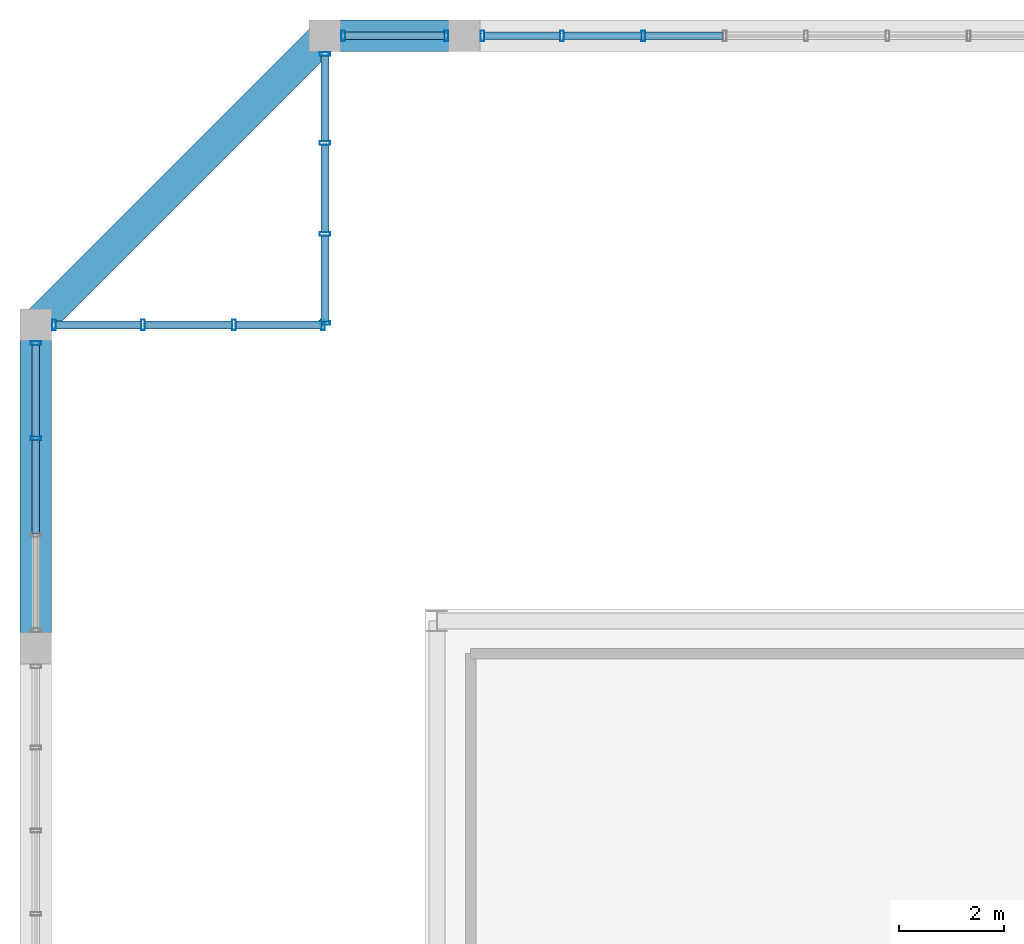
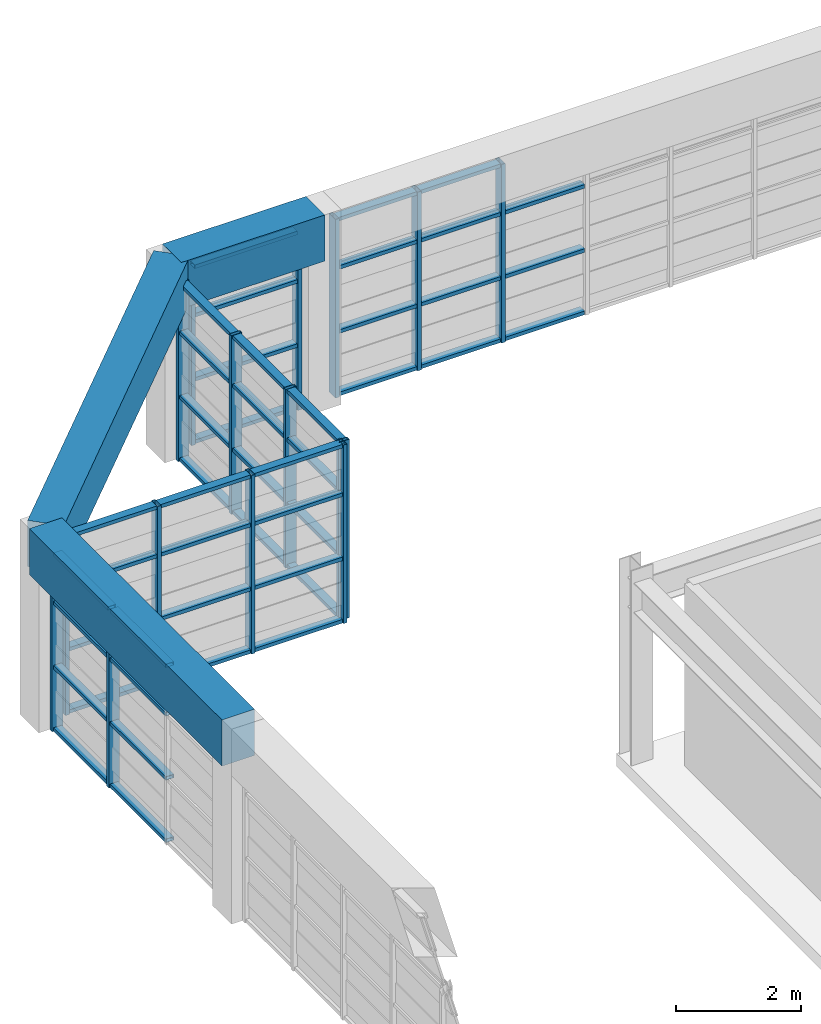
# One storey, part 17 of 27: 62 members, 3 beams, 5 elements without a shape of their own.
"""IFC4 building model written with IfcOpenShell, lengths in metres."""

from ifc_helpers import new_model, si_unit, direction, frame, origin, origin_2d, place, context, subcontext, project, spatial, rectangle, hollow_rectangle, extrude, source, transform, mapped, material, layer, layer_set, material_profile, profile_set, type_object, element, aggregate, save


model = new_model("IFC4")

# Units and contexts
model_context = context("Model", 3, precision=1e-05, world=origin(), true_north=direction((0.0, 1.0)))
body_context = subcontext(model_context, "Body", "Model", "MODEL_VIEW")
ifc_project = project(units=[si_unit("LENGTHUNIT", "METRE"), si_unit("AREAUNIT", "SQUARE_METRE"), si_unit("VOLUMEUNIT", "CUBIC_METRE"), si_unit("PLANEANGLEUNIT", "RADIAN"), si_unit("MASSUNIT", "GRAM", prefix="KILO")], contexts=[model_context])

# Site, building, storey
site_placement = place(None, origin())
site = spatial("IfcSite", under=ifc_project, at=site_placement, CompositionType="ELEMENT")
building_placement = place(site_placement, origin())
building = spatial("IfcBuilding", under=site, at=building_placement, Name="Saelheon Loggia Tower", CompositionType="ELEMENT")
storey_placement = place(building_placement, frame((0.0, 0.0, 263.60009765625)))
storey = spatial("IfcBuildingStorey", under=building, at=storey_placement, Name="CR4", CompositionType="ELEMENT", Elevation=263.60009765625)

# Beams
ifc_material_1 = material(Name="Precast Concrete C45/55", Category="concrete")
ifc_material_profile_1 = material_profile(ifc_material_1, rectangle(XDim=0.60009765625, YDim=0.89990234375, at=origin_2d()), Name="RC-600x900")
ifc_profile_set_1 = profile_set([ifc_material_profile_1], Name="Precast Concrete C45/55")
beam_type = type_object("IfcBeamType", Name="CrownFrame_Ring_RC600x900", PredefinedType="BEAM", material=ifc_profile_set_1)
shared_shape_1 = source(origin(), body_context, "Body", "SweptSolid", [
    extrude(rectangle(XDim=0.60009765625, YDim=0.89990234375, at=origin_2d()), origin(), (0.0, 0.0, 1.0), 2.64990234375),
])
beam_1_placement = place(storey_placement, frame((31.5, 47.64990234375, 3.349853515625), z_axis=(-1.0, 0.0, 0.0), x_axis=(0.0, -1.0, 0.0)))
element("IfcBeam", 1, at=beam_1_placement, inside=storey, type_object=beam_type, Name="CR4 CROWN FRAME Ring Beam 11", PredefinedType="BEAM", context=body_context, shape_type="MappedRepresentation", body=[
    mapped(shared_shape_1, transform((0.0, 0.0, 0.0), scale=1.0)),
])
shared_shape_2 = source(origin(), body_context, "Body", "SweptSolid", [
    extrude(rectangle(XDim=0.60009765625, YDim=0.89990234375, at=origin_2d()), origin(), (0.0, 0.0, 1.0), 7.778076171875),
])
beam_2_placement = place(storey_placement, frame((28.85009765625, 47.64990234375, 3.349853515625), z_axis=(-0.707106781187, -0.707106781187, 0.0), x_axis=(0.707106781187, -0.707106781187, 0.0)))
element("IfcBeam", 2, at=beam_2_placement, inside=storey, type_object=beam_type, Name="CR4 CROWN FRAME Ring Beam 12", PredefinedType="BEAM", context=body_context, shape_type="MappedRepresentation", body=[
    mapped(shared_shape_2, transform((0.0, 0.0, 0.0), scale=1.0)),
])
shared_shape_3 = source(origin(), body_context, "Body", "SweptSolid", [
    extrude(rectangle(XDim=0.60009765625, YDim=0.89990234375, at=origin_2d()), origin(), (0.0, 0.0, 1.0), 6.14990234375),
])
beam_3_placement = place(storey_placement, frame((23.35009765625, 42.14990234375, 3.349853515625), z_axis=(0.0, -1.0, 0.0), x_axis=(1.0, 0.0, 0.0)))
element("IfcBeam", 3, at=beam_3_placement, inside=storey, type_object=beam_type, Name="CR4 CROWN FRAME Ring Beam 13", PredefinedType="BEAM", context=body_context, shape_type="MappedRepresentation", body=[
    mapped(shared_shape_3, transform((0.0, 0.0, 0.0), scale=1.0)),
])

# Curtain wall, members
ifc_material_2 = material(Name="Bronze-Anodised Aluminium and Fritted Ceramic Screen", Category="aluminium")
ifc_layer = layer(ifc_material_2, 0.219970703125)
ifc_layer_set = layer_set([ifc_layer], Name="Bronze-Anodised Aluminium and Fritted Ceramic Screen")
curtain_wall_type = type_object("IfcCurtainWallType", Name="CW_CrownScreen", PredefinedType="NOTDEFINED", material=ifc_layer_set)
curtain_wall_1_placement = place(storey_placement, origin())
curtain_wall_1 = element("IfcCurtainWall", 4, at=curtain_wall_1_placement, inside=storey, type_object=curtain_wall_type, Name="CR4 Crown Screen Curtain Wall 6-2", PredefinedType="NOTDEFINED")
ifc_material_3 = material(Name="Bronze-Anodised Aluminium 6063-T6", Category="aluminium")
ifc_material_profile_2 = material_profile(ifc_material_3, hollow_rectangle(XDim=0.070068359375, YDim=0.199951171875, WallThickness=0.0048828125, at=origin_2d()), Name="RHS-200x70x5")
ifc_profile_set_2 = profile_set([ifc_material_profile_2], Name="Bronze-Anodised Aluminium 6063-T6")
member_type_1 = type_object("IfcMemberType", Name="CW_CrownScreen_Mullion", PredefinedType="MULLION", material=ifc_profile_set_2)
shared_shape_4 = source(origin(), body_context, "Body", "SweptSolid", [
    extrude(hollow_rectangle(XDim=0.070068359375, YDim=0.199951171875, WallThickness=0.0048828125, at=origin_2d()), origin(), (0.0, 0.0, 1.0), 3.47998046875),
])
member_1_placement = place(storey_placement, frame((34.905029296875, 47.64990234375, 0.0), z_axis=(0.0, 0.0, 1.0), x_axis=(-1.0, 0.0, 0.0)))
member_1 = element("IfcMember", 5, at=member_1_placement, type_object=member_type_1, Name="CW6 mullion 7", PredefinedType="MULLION", context=body_context, shape_type="MappedRepresentation", body=[
    mapped(shared_shape_4, transform((0.0, 0.0, 0.0), scale=1.0)),
])
member_2_placement = place(storey_placement, frame((33.357421875, 47.64990234375, 0.0), z_axis=(0.0, 0.0, 1.0), x_axis=(-1.0, 0.0, 0.0)))
member_2 = element("IfcMember", 6, at=member_2_placement, type_object=member_type_1, Name="CW6 mullion 8", PredefinedType="MULLION", context=body_context, shape_type="MappedRepresentation", body=[
    mapped(shared_shape_4, transform((0.0, 0.0, 0.0), scale=1.0)),
])
member_3_placement = place(storey_placement, frame((31.844970703125, 47.64990234375, 0.0), z_axis=(0.0, 0.0, 1.0), x_axis=(-1.0, 0.0, 0.0)))
member_3 = element("IfcMember", 7, at=member_3_placement, type_object=member_type_1, Name="CW6 mullion 9", PredefinedType="MULLION", context=body_context, shape_type="MappedRepresentation", body=[
    mapped(shared_shape_4, transform((0.0, 0.0, 0.0), scale=1.0)),
])

curtain_wall_2_placement = place(storey_placement, origin())
curtain_wall_2 = element("IfcCurtainWall", 8, at=curtain_wall_2_placement, inside=storey, type_object=curtain_wall_type, Name="CR4 Crown Screen Curtain Wall 6-3", PredefinedType="NOTDEFINED")
member_4_placement = place(storey_placement, frame((31.155029296875, 47.64990234375, 0.0), z_axis=(0.0, 0.0, 1.0), x_axis=(-1.0, 0.0, 0.0)))
member_4 = element("IfcMember", 9, at=member_4_placement, type_object=member_type_1, Name="CW6 mullion 1", PredefinedType="MULLION", context=body_context, shape_type="MappedRepresentation", body=[
    mapped(shared_shape_4, transform((0.0, 0.0, 0.0), scale=1.0)),
])
member_5_placement = place(storey_placement, frame((29.195068359375, 47.64990234375, 0.0), z_axis=(0.0, 0.0, 1.0), x_axis=(-1.0, 0.0, 0.0)))
member_5 = element("IfcMember", 10, at=member_5_placement, type_object=member_type_1, Name="CW6 mullion 2", PredefinedType="MULLION", context=body_context, shape_type="MappedRepresentation", body=[
    mapped(shared_shape_4, transform((0.0, 0.0, 0.0), scale=1.0)),
])

curtain_wall_3_placement = place(storey_placement, origin())
curtain_wall_3 = element("IfcCurtainWall", 11, at=curtain_wall_3_placement, inside=storey, type_object=curtain_wall_type, Name="CR4 Crown Screen Curtain Wall 7-1", PredefinedType="NOTDEFINED")
member_6_placement = place(storey_placement, frame((28.85009765625, 47.304931640625, 0.0), z_axis=(0.0, 0.0, 1.0), x_axis=(0.0, -1.0, 0.0)))
member_6 = element("IfcMember", 12, at=member_6_placement, type_object=member_type_1, Name="CW6 mullion 1", PredefinedType="MULLION", context=body_context, shape_type="MappedRepresentation", body=[
    mapped(shared_shape_4, transform((0.0, 0.0, 0.0), scale=1.0)),
])
member_7_placement = place(storey_placement, frame((28.85009765625, 45.610107421875, 0.0), z_axis=(0.0, 0.0, 1.0), x_axis=(0.0, -1.0, 0.0)))
member_7 = element("IfcMember", 13, at=member_7_placement, type_object=member_type_1, Name="CW6 mullion 2", PredefinedType="MULLION", context=body_context, shape_type="MappedRepresentation", body=[
    mapped(shared_shape_4, transform((0.0, 0.0, 0.0), scale=1.0)),
])
member_8_placement = place(storey_placement, frame((28.85009765625, 43.8798828125, 0.0), z_axis=(0.0, 0.0, 1.0), x_axis=(0.0, -1.0, 0.0)))
member_8 = element("IfcMember", 14, at=member_8_placement, type_object=member_type_1, Name="CW6 mullion 3", PredefinedType="MULLION", context=body_context, shape_type="MappedRepresentation", body=[
    mapped(shared_shape_4, transform((0.0, 0.0, 0.0), scale=1.0)),
])
member_9_placement = place(storey_placement, frame((28.85009765625, 42.18505859375, 0.0), z_axis=(0.0, 0.0, 1.0), x_axis=(0.0, -1.0, 0.0)))
member_9 = element("IfcMember", 15, at=member_9_placement, type_object=member_type_1, Name="CW6 mullion 4", PredefinedType="MULLION", context=body_context, shape_type="MappedRepresentation", body=[
    mapped(shared_shape_4, transform((0.0, 0.0, 0.0), scale=1.0)),
])

curtain_wall_4_placement = place(storey_placement, origin())
curtain_wall_4 = element("IfcCurtainWall", 16, at=curtain_wall_4_placement, inside=storey, type_object=curtain_wall_type, Name="CR4 Crown Screen Curtain Wall 8-1", PredefinedType="NOTDEFINED")
member_10_placement = place(storey_placement, frame((28.81494140625, 42.14990234375, 0.0), z_axis=(0.0, 0.0, 1.0), x_axis=(-1.0, 0.0, 0.0)))
member_10 = element("IfcMember", 17, at=member_10_placement, type_object=member_type_1, Name="CW6 mullion 1", PredefinedType="MULLION", context=body_context, shape_type="MappedRepresentation", body=[
    mapped(shared_shape_4, transform((0.0, 0.0, 0.0), scale=1.0)),
])
member_11_placement = place(storey_placement, frame((27.1201171875, 42.14990234375, 0.0), z_axis=(0.0, 0.0, 1.0), x_axis=(-1.0, 0.0, 0.0)))
member_11 = element("IfcMember", 18, at=member_11_placement, type_object=member_type_1, Name="CW6 mullion 2", PredefinedType="MULLION", context=body_context, shape_type="MappedRepresentation", body=[
    mapped(shared_shape_4, transform((0.0, 0.0, 0.0), scale=1.0)),
])
member_12_placement = place(storey_placement, frame((25.389892578125, 42.14990234375, 0.0), z_axis=(0.0, 0.0, 1.0), x_axis=(-1.0, 0.0, 0.0)))
member_12 = element("IfcMember", 19, at=member_12_placement, type_object=member_type_1, Name="CW6 mullion 3", PredefinedType="MULLION", context=body_context, shape_type="MappedRepresentation", body=[
    mapped(shared_shape_4, transform((0.0, 0.0, 0.0), scale=1.0)),
])
member_13_placement = place(storey_placement, frame((23.695068359375, 42.14990234375, 0.0), z_axis=(0.0, 0.0, 1.0), x_axis=(-1.0, 0.0, 0.0)))
member_13 = element("IfcMember", 20, at=member_13_placement, type_object=member_type_1, Name="CW6 mullion 4", PredefinedType="MULLION", context=body_context, shape_type="MappedRepresentation", body=[
    mapped(shared_shape_4, transform((0.0, 0.0, 0.0), scale=1.0)),
])

curtain_wall_5_placement = place(storey_placement, origin())
curtain_wall_5 = element("IfcCurtainWall", 21, at=curtain_wall_5_placement, inside=storey, type_object=curtain_wall_type, Name="CR4 Crown Screen Curtain Wall 9-1", PredefinedType="NOTDEFINED")
member_14_placement = place(storey_placement, frame((23.35009765625, 41.804931640625, 0.0), z_axis=(0.0, 0.0, 1.0), x_axis=(0.0, -1.0, 0.0)))
member_14 = element("IfcMember", 22, at=member_14_placement, type_object=member_type_1, Name="CW6 mullion 1", PredefinedType="MULLION", context=body_context, shape_type="MappedRepresentation", body=[
    mapped(shared_shape_4, transform((0.0, 0.0, 0.0), scale=1.0)),
])
member_15_placement = place(storey_placement, frame((23.35009765625, 39.99658203125, 0.0), z_axis=(0.0, 0.0, 1.0), x_axis=(0.0, -1.0, 0.0)))
member_15 = element("IfcMember", 23, at=member_15_placement, type_object=member_type_1, Name="CW6 mullion 2", PredefinedType="MULLION", context=body_context, shape_type="MappedRepresentation", body=[
    mapped(shared_shape_4, transform((0.0, 0.0, 0.0), scale=1.0)),
])

# Member
ifc_material_profile_3 = material_profile(ifc_material_3, hollow_rectangle(XDim=0.070068359375, YDim=0.14990234375, WallThickness=0.0048828125, at=origin_2d()), Name="RHS-150x70x5")
ifc_profile_set_3 = profile_set([ifc_material_profile_3], Name="Bronze-Anodised Aluminium 6063-T6")
member_type_2 = type_object("IfcMemberType", Name="CW_CrownScreen_Transom", PredefinedType="USERDEFINED", material=ifc_profile_set_3)
shared_shape_5 = source(origin(), body_context, "Body", "SweptSolid", [
    extrude(hollow_rectangle(XDim=0.070068359375, YDim=0.14990234375, WallThickness=0.0048828125, at=origin_2d()), origin(), (0.0, 0.0, 1.0), 1.89013671875),
])
member_16_placement = place(storey_placement, frame((31.1201171875, 47.64990234375, 0.034912109375), z_axis=(-1.0, 0.0, 0.0), x_axis=(0.0, 0.0, 1.0)))
member_16 = element("IfcMember", 24, at=member_16_placement, type_object=member_type_2, Name="CW6 transom 1.1", ObjectType="TRANSOM", PredefinedType="USERDEFINED", context=body_context, shape_type="MappedRepresentation", body=[
    mapped(shared_shape_5, transform((0.0, 0.0, 0.0), scale=1.0)),
])

member_17_placement = place(storey_placement, frame((31.1201171875, 47.64990234375, 1.25), z_axis=(-1.0, 0.0, 0.0), x_axis=(0.0, 0.0, 1.0)))
member_17 = element("IfcMember", 25, at=member_17_placement, type_object=member_type_2, Name="CW6 transom 1.2", ObjectType="TRANSOM", PredefinedType="USERDEFINED", context=body_context, shape_type="MappedRepresentation", body=[
    mapped(shared_shape_5, transform((0.0, 0.0, 0.0), scale=1.0)),
])

member_18_placement = place(storey_placement, frame((31.1201171875, 47.64990234375, 2.5), z_axis=(-1.0, 0.0, 0.0), x_axis=(0.0, 0.0, 1.0)))
member_18 = element("IfcMember", 26, at=member_18_placement, type_object=member_type_2, Name="CW6 transom 1.3", ObjectType="TRANSOM", PredefinedType="USERDEFINED", context=body_context, shape_type="MappedRepresentation", body=[
    mapped(shared_shape_5, transform((0.0, 0.0, 0.0), scale=1.0)),
])

member_19_placement = place(storey_placement, frame((31.1201171875, 47.64990234375, 3.44482421875), z_axis=(-1.0, 0.0, 0.0), x_axis=(0.0, 0.0, 1.0)))
member_19 = element("IfcMember", 27, at=member_19_placement, type_object=member_type_2, Name="CW6 transom 1.4", ObjectType="TRANSOM", PredefinedType="USERDEFINED", context=body_context, shape_type="MappedRepresentation", body=[
    mapped(shared_shape_5, transform((0.0, 0.0, 0.0), scale=1.0)),
])

aggregate(curtain_wall_2, [member_4, member_5, member_16, member_17, member_18, member_19])

shared_shape_6 = source(origin(), body_context, "Body", "SweptSolid", [
    extrude(hollow_rectangle(XDim=0.070068359375, YDim=0.14990234375, WallThickness=0.0048828125, at=origin_2d()), origin(), (0.0, 0.0, 1.0), 1.442626953125),
])
member_20_placement = place(storey_placement, frame((33.322509765625, 47.64990234375, 0.034912109375), z_axis=(-1.0, 0.0, 0.0), x_axis=(0.0, 0.0, 1.0)))
member_20 = element("IfcMember", 28, at=member_20_placement, type_object=member_type_2, Name="CW6 transom 8.1", ObjectType="TRANSOM", PredefinedType="USERDEFINED", context=body_context, shape_type="MappedRepresentation", body=[
    mapped(shared_shape_6, transform((0.0, 0.0, 0.0), scale=1.0)),
])

member_21_placement = place(storey_placement, frame((33.322509765625, 47.64990234375, 1.25), z_axis=(-1.0, 0.0, 0.0), x_axis=(0.0, 0.0, 1.0)))
member_21 = element("IfcMember", 29, at=member_21_placement, type_object=member_type_2, Name="CW6 transom 8.2", ObjectType="TRANSOM", PredefinedType="USERDEFINED", context=body_context, shape_type="MappedRepresentation", body=[
    mapped(shared_shape_6, transform((0.0, 0.0, 0.0), scale=1.0)),
])

member_22_placement = place(storey_placement, frame((33.322509765625, 47.64990234375, 2.5), z_axis=(-1.0, 0.0, 0.0), x_axis=(0.0, 0.0, 1.0)))
member_22 = element("IfcMember", 30, at=member_22_placement, type_object=member_type_2, Name="CW6 transom 8.3", ObjectType="TRANSOM", PredefinedType="USERDEFINED", context=body_context, shape_type="MappedRepresentation", body=[
    mapped(shared_shape_6, transform((0.0, 0.0, 0.0), scale=1.0)),
])

member_23_placement = place(storey_placement, frame((33.322509765625, 47.64990234375, 3.44482421875), z_axis=(-1.0, 0.0, 0.0), x_axis=(0.0, 0.0, 1.0)))
member_23 = element("IfcMember", 31, at=member_23_placement, type_object=member_type_2, Name="CW6 transom 8.4", ObjectType="TRANSOM", PredefinedType="USERDEFINED", context=body_context, shape_type="MappedRepresentation", body=[
    mapped(shared_shape_6, transform((0.0, 0.0, 0.0), scale=1.0)),
])

shared_shape_7 = source(origin(), body_context, "Body", "SweptSolid", [
    extrude(hollow_rectangle(XDim=0.070068359375, YDim=0.14990234375, WallThickness=0.0048828125, at=origin_2d()), origin(), (0.0, 0.0, 1.0), 1.4775390625),
])
member_24_placement = place(storey_placement, frame((36.41748046875, 47.64990234375, 0.034912109375), z_axis=(-1.0, 0.0, 0.0), x_axis=(0.0, 0.0, 1.0)))
member_24 = element("IfcMember", 32, at=member_24_placement, type_object=member_type_2, Name="CW6 transom 6.1", ObjectType="TRANSOM", PredefinedType="USERDEFINED", context=body_context, shape_type="MappedRepresentation", body=[
    mapped(shared_shape_7, transform((0.0, 0.0, 0.0), scale=1.0)),
])

member_25_placement = place(storey_placement, frame((36.41748046875, 47.64990234375, 1.25), z_axis=(-1.0, 0.0, 0.0), x_axis=(0.0, 0.0, 1.0)))
member_25 = element("IfcMember", 33, at=member_25_placement, type_object=member_type_2, Name="CW6 transom 6.2", ObjectType="TRANSOM", PredefinedType="USERDEFINED", context=body_context, shape_type="MappedRepresentation", body=[
    mapped(shared_shape_7, transform((0.0, 0.0, 0.0), scale=1.0)),
])

member_26_placement = place(storey_placement, frame((36.41748046875, 47.64990234375, 2.5), z_axis=(-1.0, 0.0, 0.0), x_axis=(0.0, 0.0, 1.0)))
member_26 = element("IfcMember", 34, at=member_26_placement, type_object=member_type_2, Name="CW6 transom 6.3", ObjectType="TRANSOM", PredefinedType="USERDEFINED", context=body_context, shape_type="MappedRepresentation", body=[
    mapped(shared_shape_7, transform((0.0, 0.0, 0.0), scale=1.0)),
])

member_27_placement = place(storey_placement, frame((34.8701171875, 47.64990234375, 0.034912109375), z_axis=(-1.0, 0.0, 0.0), x_axis=(0.0, 0.0, 1.0)))
member_27 = element("IfcMember", 35, at=member_27_placement, type_object=member_type_2, Name="CW6 transom 7.1", ObjectType="TRANSOM", PredefinedType="USERDEFINED", context=body_context, shape_type="MappedRepresentation", body=[
    mapped(shared_shape_7, transform((0.0, 0.0, 0.0), scale=1.0)),
])

member_28_placement = place(storey_placement, frame((34.8701171875, 47.64990234375, 1.25), z_axis=(-1.0, 0.0, 0.0), x_axis=(0.0, 0.0, 1.0)))
member_28 = element("IfcMember", 36, at=member_28_placement, type_object=member_type_2, Name="CW6 transom 7.2", ObjectType="TRANSOM", PredefinedType="USERDEFINED", context=body_context, shape_type="MappedRepresentation", body=[
    mapped(shared_shape_7, transform((0.0, 0.0, 0.0), scale=1.0)),
])

member_29_placement = place(storey_placement, frame((34.8701171875, 47.64990234375, 2.5), z_axis=(-1.0, 0.0, 0.0), x_axis=(0.0, 0.0, 1.0)))
member_29 = element("IfcMember", 37, at=member_29_placement, type_object=member_type_2, Name="CW6 transom 7.3", ObjectType="TRANSOM", PredefinedType="USERDEFINED", context=body_context, shape_type="MappedRepresentation", body=[
    mapped(shared_shape_7, transform((0.0, 0.0, 0.0), scale=1.0)),
])

member_30_placement = place(storey_placement, frame((34.8701171875, 47.64990234375, 3.44482421875), z_axis=(-1.0, 0.0, 0.0), x_axis=(0.0, 0.0, 1.0)))
member_30 = element("IfcMember", 38, at=member_30_placement, type_object=member_type_2, Name="CW6 transom 7.4", ObjectType="TRANSOM", PredefinedType="USERDEFINED", context=body_context, shape_type="MappedRepresentation", body=[
    mapped(shared_shape_7, transform((0.0, 0.0, 0.0), scale=1.0)),
])

aggregate(curtain_wall_1, [member_1, member_2, member_3, member_24, member_25, member_26, member_27, member_28, member_29, member_30, member_20, member_21, member_22, member_23])

shared_shape_8 = source(origin(), body_context, "Body", "SweptSolid", [
    extrude(hollow_rectangle(XDim=0.070068359375, YDim=0.14990234375, WallThickness=0.0048828125, at=origin_2d()), origin(), (0.0, 0.0, 1.0), 1.625),
])
member_31_placement = place(storey_placement, frame((28.85009765625, 47.27001953125, 0.034912109375), z_axis=(0.0, -1.0, 0.0), x_axis=(0.0, 0.0, 1.0)))
member_31 = element("IfcMember", 39, at=member_31_placement, type_object=member_type_2, Name="CW6 transom 1.1", ObjectType="TRANSOM", PredefinedType="USERDEFINED", context=body_context, shape_type="MappedRepresentation", body=[
    mapped(shared_shape_8, transform((0.0, 0.0, 0.0), scale=1.0)),
])

member_32_placement = place(storey_placement, frame((28.85009765625, 47.27001953125, 1.25), z_axis=(0.0, -1.0, 0.0), x_axis=(0.0, 0.0, 1.0)))
member_32 = element("IfcMember", 40, at=member_32_placement, type_object=member_type_2, Name="CW6 transom 1.2", ObjectType="TRANSOM", PredefinedType="USERDEFINED", context=body_context, shape_type="MappedRepresentation", body=[
    mapped(shared_shape_8, transform((0.0, 0.0, 0.0), scale=1.0)),
])

member_33_placement = place(storey_placement, frame((28.85009765625, 47.27001953125, 2.5), z_axis=(0.0, -1.0, 0.0), x_axis=(0.0, 0.0, 1.0)))
member_33 = element("IfcMember", 41, at=member_33_placement, type_object=member_type_2, Name="CW6 transom 1.3", ObjectType="TRANSOM", PredefinedType="USERDEFINED", context=body_context, shape_type="MappedRepresentation", body=[
    mapped(shared_shape_8, transform((0.0, 0.0, 0.0), scale=1.0)),
])

member_34_placement = place(storey_placement, frame((28.85009765625, 47.27001953125, 3.44482421875), z_axis=(0.0, -1.0, 0.0), x_axis=(0.0, 0.0, 1.0)))
member_34 = element("IfcMember", 42, at=member_34_placement, type_object=member_type_2, Name="CW6 transom 1.4", ObjectType="TRANSOM", PredefinedType="USERDEFINED", context=body_context, shape_type="MappedRepresentation", body=[
    mapped(shared_shape_8, transform((0.0, 0.0, 0.0), scale=1.0)),
])

member_35_placement = place(storey_placement, frame((28.85009765625, 43.844970703125, 0.034912109375), z_axis=(0.0, -1.0, 0.0), x_axis=(0.0, 0.0, 1.0)))
member_35 = element("IfcMember", 43, at=member_35_placement, type_object=member_type_2, Name="CW6 transom 3.1", ObjectType="TRANSOM", PredefinedType="USERDEFINED", context=body_context, shape_type="MappedRepresentation", body=[
    mapped(shared_shape_8, transform((0.0, 0.0, 0.0), scale=1.0)),
])

member_36_placement = place(storey_placement, frame((28.85009765625, 43.844970703125, 1.25), z_axis=(0.0, -1.0, 0.0), x_axis=(0.0, 0.0, 1.0)))
member_36 = element("IfcMember", 44, at=member_36_placement, type_object=member_type_2, Name="CW6 transom 3.2", ObjectType="TRANSOM", PredefinedType="USERDEFINED", context=body_context, shape_type="MappedRepresentation", body=[
    mapped(shared_shape_8, transform((0.0, 0.0, 0.0), scale=1.0)),
])

member_37_placement = place(storey_placement, frame((28.85009765625, 43.844970703125, 2.5), z_axis=(0.0, -1.0, 0.0), x_axis=(0.0, 0.0, 1.0)))
member_37 = element("IfcMember", 45, at=member_37_placement, type_object=member_type_2, Name="CW6 transom 3.3", ObjectType="TRANSOM", PredefinedType="USERDEFINED", context=body_context, shape_type="MappedRepresentation", body=[
    mapped(shared_shape_8, transform((0.0, 0.0, 0.0), scale=1.0)),
])

member_38_placement = place(storey_placement, frame((28.85009765625, 43.844970703125, 3.44482421875), z_axis=(0.0, -1.0, 0.0), x_axis=(0.0, 0.0, 1.0)))
member_38 = element("IfcMember", 46, at=member_38_placement, type_object=member_type_2, Name="CW6 transom 3.4", ObjectType="TRANSOM", PredefinedType="USERDEFINED", context=body_context, shape_type="MappedRepresentation", body=[
    mapped(shared_shape_8, transform((0.0, 0.0, 0.0), scale=1.0)),
])

member_39_placement = place(storey_placement, frame((28.780029296875, 42.14990234375, 0.034912109375), z_axis=(-1.0, 0.0, 0.0), x_axis=(0.0, 0.0, 1.0)))
member_39 = element("IfcMember", 47, at=member_39_placement, type_object=member_type_2, Name="CW6 transom 1.1", ObjectType="TRANSOM", PredefinedType="USERDEFINED", context=body_context, shape_type="MappedRepresentation", body=[
    mapped(shared_shape_8, transform((0.0, 0.0, 0.0), scale=1.0)),
])

member_40_placement = place(storey_placement, frame((28.780029296875, 42.14990234375, 1.25), z_axis=(-1.0, 0.0, 0.0), x_axis=(0.0, 0.0, 1.0)))
member_40 = element("IfcMember", 48, at=member_40_placement, type_object=member_type_2, Name="CW6 transom 1.2", ObjectType="TRANSOM", PredefinedType="USERDEFINED", context=body_context, shape_type="MappedRepresentation", body=[
    mapped(shared_shape_8, transform((0.0, 0.0, 0.0), scale=1.0)),
])

member_41_placement = place(storey_placement, frame((28.780029296875, 42.14990234375, 2.5), z_axis=(-1.0, 0.0, 0.0), x_axis=(0.0, 0.0, 1.0)))
member_41 = element("IfcMember", 49, at=member_41_placement, type_object=member_type_2, Name="CW6 transom 1.3", ObjectType="TRANSOM", PredefinedType="USERDEFINED", context=body_context, shape_type="MappedRepresentation", body=[
    mapped(shared_shape_8, transform((0.0, 0.0, 0.0), scale=1.0)),
])

member_42_placement = place(storey_placement, frame((28.780029296875, 42.14990234375, 3.44482421875), z_axis=(-1.0, 0.0, 0.0), x_axis=(0.0, 0.0, 1.0)))
member_42 = element("IfcMember", 50, at=member_42_placement, type_object=member_type_2, Name="CW6 transom 1.4", ObjectType="TRANSOM", PredefinedType="USERDEFINED", context=body_context, shape_type="MappedRepresentation", body=[
    mapped(shared_shape_8, transform((0.0, 0.0, 0.0), scale=1.0)),
])

member_43_placement = place(storey_placement, frame((25.35498046875, 42.14990234375, 0.034912109375), z_axis=(-1.0, 0.0, 0.0), x_axis=(0.0, 0.0, 1.0)))
member_43 = element("IfcMember", 51, at=member_43_placement, type_object=member_type_2, Name="CW6 transom 3.1", ObjectType="TRANSOM", PredefinedType="USERDEFINED", context=body_context, shape_type="MappedRepresentation", body=[
    mapped(shared_shape_8, transform((0.0, 0.0, 0.0), scale=1.0)),
])

member_44_placement = place(storey_placement, frame((25.35498046875, 42.14990234375, 1.25), z_axis=(-1.0, 0.0, 0.0), x_axis=(0.0, 0.0, 1.0)))
member_44 = element("IfcMember", 52, at=member_44_placement, type_object=member_type_2, Name="CW6 transom 3.2", ObjectType="TRANSOM", PredefinedType="USERDEFINED", context=body_context, shape_type="MappedRepresentation", body=[
    mapped(shared_shape_8, transform((0.0, 0.0, 0.0), scale=1.0)),
])

member_45_placement = place(storey_placement, frame((25.35498046875, 42.14990234375, 2.5), z_axis=(-1.0, 0.0, 0.0), x_axis=(0.0, 0.0, 1.0)))
member_45 = element("IfcMember", 53, at=member_45_placement, type_object=member_type_2, Name="CW6 transom 3.3", ObjectType="TRANSOM", PredefinedType="USERDEFINED", context=body_context, shape_type="MappedRepresentation", body=[
    mapped(shared_shape_8, transform((0.0, 0.0, 0.0), scale=1.0)),
])

member_46_placement = place(storey_placement, frame((25.35498046875, 42.14990234375, 3.44482421875), z_axis=(-1.0, 0.0, 0.0), x_axis=(0.0, 0.0, 1.0)))
member_46 = element("IfcMember", 54, at=member_46_placement, type_object=member_type_2, Name="CW6 transom 3.4", ObjectType="TRANSOM", PredefinedType="USERDEFINED", context=body_context, shape_type="MappedRepresentation", body=[
    mapped(shared_shape_8, transform((0.0, 0.0, 0.0), scale=1.0)),
])

shared_shape_9 = source(origin(), body_context, "Body", "SweptSolid", [
    extrude(hollow_rectangle(XDim=0.070068359375, YDim=0.14990234375, WallThickness=0.0048828125, at=origin_2d()), origin(), (0.0, 0.0, 1.0), 1.659912109375),
])
member_47_placement = place(storey_placement, frame((28.85009765625, 45.574951171875, 0.034912109375), z_axis=(0.0, -1.0, 0.0), x_axis=(0.0, 0.0, 1.0)))
member_47 = element("IfcMember", 55, at=member_47_placement, type_object=member_type_2, Name="CW6 transom 2.1", ObjectType="TRANSOM", PredefinedType="USERDEFINED", context=body_context, shape_type="MappedRepresentation", body=[
    mapped(shared_shape_9, transform((0.0, 0.0, 0.0), scale=1.0)),
])

member_48_placement = place(storey_placement, frame((28.85009765625, 45.574951171875, 1.25), z_axis=(0.0, -1.0, 0.0), x_axis=(0.0, 0.0, 1.0)))
member_48 = element("IfcMember", 56, at=member_48_placement, type_object=member_type_2, Name="CW6 transom 2.2", ObjectType="TRANSOM", PredefinedType="USERDEFINED", context=body_context, shape_type="MappedRepresentation", body=[
    mapped(shared_shape_9, transform((0.0, 0.0, 0.0), scale=1.0)),
])

member_49_placement = place(storey_placement, frame((28.85009765625, 45.574951171875, 2.5), z_axis=(0.0, -1.0, 0.0), x_axis=(0.0, 0.0, 1.0)))
member_49 = element("IfcMember", 57, at=member_49_placement, type_object=member_type_2, Name="CW6 transom 2.3", ObjectType="TRANSOM", PredefinedType="USERDEFINED", context=body_context, shape_type="MappedRepresentation", body=[
    mapped(shared_shape_9, transform((0.0, 0.0, 0.0), scale=1.0)),
])

member_50_placement = place(storey_placement, frame((28.85009765625, 45.574951171875, 3.44482421875), z_axis=(0.0, -1.0, 0.0), x_axis=(0.0, 0.0, 1.0)))
member_50 = element("IfcMember", 58, at=member_50_placement, type_object=member_type_2, Name="CW6 transom 2.4", ObjectType="TRANSOM", PredefinedType="USERDEFINED", context=body_context, shape_type="MappedRepresentation", body=[
    mapped(shared_shape_9, transform((0.0, 0.0, 0.0), scale=1.0)),
])

aggregate(curtain_wall_3, [member_6, member_7, member_8, member_9, member_31, member_32, member_33, member_34, member_47, member_48, member_49, member_50, member_35, member_36, member_37, member_38])

member_51_placement = place(storey_placement, frame((27.0849609375, 42.14990234375, 0.034912109375), z_axis=(-1.0, 0.0, 0.0), x_axis=(0.0, 0.0, 1.0)))
member_51 = element("IfcMember", 59, at=member_51_placement, type_object=member_type_2, Name="CW6 transom 2.1", ObjectType="TRANSOM", PredefinedType="USERDEFINED", context=body_context, shape_type="MappedRepresentation", body=[
    mapped(shared_shape_9, transform((0.0, 0.0, 0.0), scale=1.0)),
])

member_52_placement = place(storey_placement, frame((27.0849609375, 42.14990234375, 1.25), z_axis=(-1.0, 0.0, 0.0), x_axis=(0.0, 0.0, 1.0)))
member_52 = element("IfcMember", 60, at=member_52_placement, type_object=member_type_2, Name="CW6 transom 2.2", ObjectType="TRANSOM", PredefinedType="USERDEFINED", context=body_context, shape_type="MappedRepresentation", body=[
    mapped(shared_shape_9, transform((0.0, 0.0, 0.0), scale=1.0)),
])

member_53_placement = place(storey_placement, frame((27.0849609375, 42.14990234375, 2.5), z_axis=(-1.0, 0.0, 0.0), x_axis=(0.0, 0.0, 1.0)))
member_53 = element("IfcMember", 61, at=member_53_placement, type_object=member_type_2, Name="CW6 transom 2.3", ObjectType="TRANSOM", PredefinedType="USERDEFINED", context=body_context, shape_type="MappedRepresentation", body=[
    mapped(shared_shape_9, transform((0.0, 0.0, 0.0), scale=1.0)),
])

member_54_placement = place(storey_placement, frame((27.0849609375, 42.14990234375, 3.44482421875), z_axis=(-1.0, 0.0, 0.0), x_axis=(0.0, 0.0, 1.0)))
member_54 = element("IfcMember", 62, at=member_54_placement, type_object=member_type_2, Name="CW6 transom 2.4", ObjectType="TRANSOM", PredefinedType="USERDEFINED", context=body_context, shape_type="MappedRepresentation", body=[
    mapped(shared_shape_9, transform((0.0, 0.0, 0.0), scale=1.0)),
])

aggregate(curtain_wall_4, [member_10, member_11, member_12, member_13, member_39, member_40, member_41, member_42, member_51, member_52, member_53, member_54, member_43, member_44, member_45, member_46])

shared_shape_10 = source(origin(), body_context, "Body", "SweptSolid", [
    extrude(hollow_rectangle(XDim=0.070068359375, YDim=0.14990234375, WallThickness=0.0048828125, at=origin_2d()), origin(), (0.0, 0.0, 1.0), 1.73828125),
])
member_55_placement = place(storey_placement, frame((23.35009765625, 41.77001953125, 0.034912109375), z_axis=(0.0, -1.0, 0.0), x_axis=(0.0, 0.0, 1.0)))
member_55 = element("IfcMember", 63, at=member_55_placement, type_object=member_type_2, Name="CW6 transom 1.1", ObjectType="TRANSOM", PredefinedType="USERDEFINED", context=body_context, shape_type="MappedRepresentation", body=[
    mapped(shared_shape_10, transform((0.0, 0.0, 0.0), scale=1.0)),
])

member_56_placement = place(storey_placement, frame((23.35009765625, 41.77001953125, 1.25), z_axis=(0.0, -1.0, 0.0), x_axis=(0.0, 0.0, 1.0)))
member_56 = element("IfcMember", 64, at=member_56_placement, type_object=member_type_2, Name="CW6 transom 1.2", ObjectType="TRANSOM", PredefinedType="USERDEFINED", context=body_context, shape_type="MappedRepresentation", body=[
    mapped(shared_shape_10, transform((0.0, 0.0, 0.0), scale=1.0)),
])

member_57_placement = place(storey_placement, frame((23.35009765625, 41.77001953125, 2.5), z_axis=(0.0, -1.0, 0.0), x_axis=(0.0, 0.0, 1.0)))
member_57 = element("IfcMember", 65, at=member_57_placement, type_object=member_type_2, Name="CW6 transom 1.3", ObjectType="TRANSOM", PredefinedType="USERDEFINED", context=body_context, shape_type="MappedRepresentation", body=[
    mapped(shared_shape_10, transform((0.0, 0.0, 0.0), scale=1.0)),
])

member_58_placement = place(storey_placement, frame((23.35009765625, 41.77001953125, 3.44482421875), z_axis=(0.0, -1.0, 0.0), x_axis=(0.0, 0.0, 1.0)))
member_58 = element("IfcMember", 66, at=member_58_placement, type_object=member_type_2, Name="CW6 transom 1.4", ObjectType="TRANSOM", PredefinedType="USERDEFINED", context=body_context, shape_type="MappedRepresentation", body=[
    mapped(shared_shape_10, transform((0.0, 0.0, 0.0), scale=1.0)),
])

shared_shape_11 = source(origin(), body_context, "Body", "SweptSolid", [
    extrude(hollow_rectangle(XDim=0.070068359375, YDim=0.14990234375, WallThickness=0.0048828125, at=origin_2d()), origin(), (0.0, 0.0, 1.0), 1.7734375),
])
member_59_placement = place(storey_placement, frame((23.35009765625, 39.961669921875, 0.034912109375), z_axis=(0.0, -1.0, 0.0), x_axis=(0.0, 0.0, 1.0)))
member_59 = element("IfcMember", 67, at=member_59_placement, type_object=member_type_2, Name="CW6 transom 2.1", ObjectType="TRANSOM", PredefinedType="USERDEFINED", context=body_context, shape_type="MappedRepresentation", body=[
    mapped(shared_shape_11, transform((0.0, 0.0, 0.0), scale=1.0)),
])

member_60_placement = place(storey_placement, frame((23.35009765625, 39.961669921875, 1.25), z_axis=(0.0, -1.0, 0.0), x_axis=(0.0, 0.0, 1.0)))
member_60 = element("IfcMember", 68, at=member_60_placement, type_object=member_type_2, Name="CW6 transom 2.2", ObjectType="TRANSOM", PredefinedType="USERDEFINED", context=body_context, shape_type="MappedRepresentation", body=[
    mapped(shared_shape_11, transform((0.0, 0.0, 0.0), scale=1.0)),
])

member_61_placement = place(storey_placement, frame((23.35009765625, 39.961669921875, 2.5), z_axis=(0.0, -1.0, 0.0), x_axis=(0.0, 0.0, 1.0)))
member_61 = element("IfcMember", 69, at=member_61_placement, type_object=member_type_2, Name="CW6 transom 2.3", ObjectType="TRANSOM", PredefinedType="USERDEFINED", context=body_context, shape_type="MappedRepresentation", body=[
    mapped(shared_shape_11, transform((0.0, 0.0, 0.0), scale=1.0)),
])

member_62_placement = place(storey_placement, frame((23.35009765625, 39.961669921875, 3.44482421875), z_axis=(0.0, -1.0, 0.0), x_axis=(0.0, 0.0, 1.0)))
member_62 = element("IfcMember", 70, at=member_62_placement, type_object=member_type_2, Name="CW6 transom 2.4", ObjectType="TRANSOM", PredefinedType="USERDEFINED", context=body_context, shape_type="MappedRepresentation", body=[
    mapped(shared_shape_11, transform((0.0, 0.0, 0.0), scale=1.0)),
])

aggregate(curtain_wall_5, [member_14, member_15, member_55, member_56, member_57, member_58, member_59, member_60, member_61, member_62])

save(model, "model.ifc")
